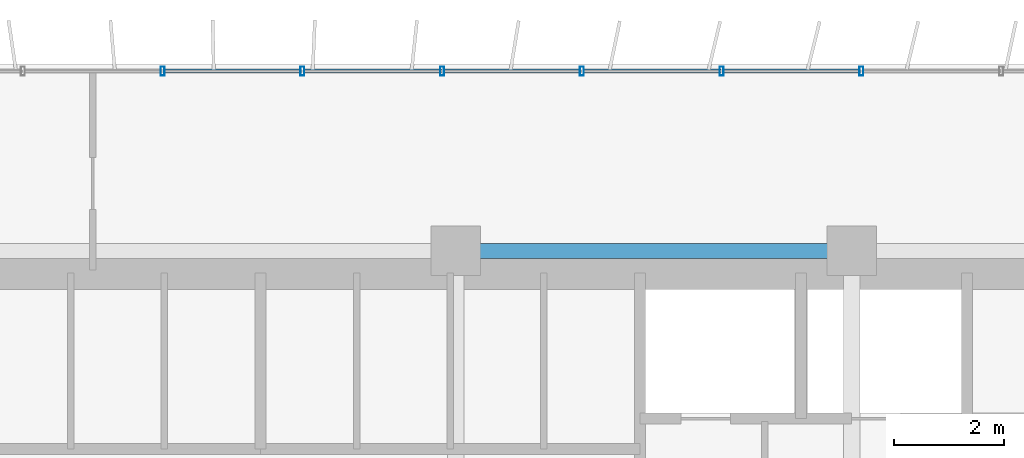
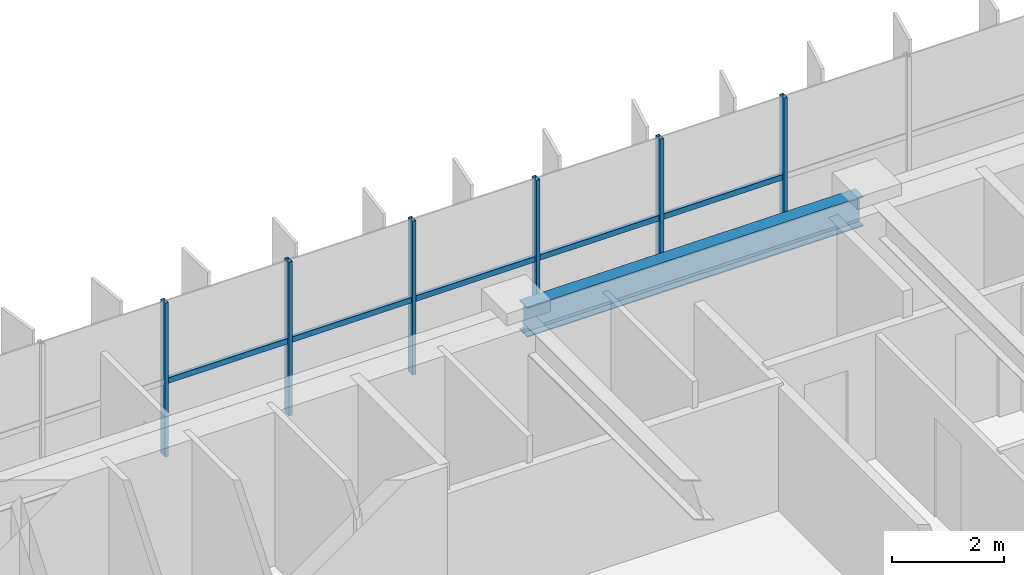
# One storey, part 13 of 25: 11 members, 1 beam, 1 element without a shape of its own.
"""IFC4 building model written with IfcOpenShell, lengths in metres."""

from ifc_helpers import new_model, si_unit, direction, frame, origin, origin_2d, place, context, subcontext, project, spatial, hollow_rectangle, i_section, extrude, source, transform, mapped, material, material_profile, profile_set, type_object, element, aggregate, save


model = new_model("IFC4")

# Units and contexts
model_context = context("Model", 3, precision=1e-05, world=origin(), true_north=direction((0.0, 1.0)))
body_context = subcontext(model_context, "Body", "Model", "MODEL_VIEW")
ifc_project = project(units=[si_unit("LENGTHUNIT", "METRE"), si_unit("AREAUNIT", "SQUARE_METRE"), si_unit("VOLUMEUNIT", "CUBIC_METRE"), si_unit("PLANEANGLEUNIT", "RADIAN"), si_unit("MASSUNIT", "GRAM", prefix="KILO")], contexts=[model_context])

# Site, building, storey
site_placement = place(None, origin())
site = spatial("IfcSite", under=ifc_project, at=site_placement, CompositionType="ELEMENT")
building_placement = place(site_placement, origin())
building = spatial("IfcBuilding", under=site, at=building_placement, Name="Trelvane Seafront Commons", CompositionType="ELEMENT")
storey_placement = place(building_placement, frame((0.0, 0.0, 66.699951171875)))
storey = spatial("IfcBuildingStorey", under=building, at=storey_placement, Name="L17", CompositionType="ELEMENT", Elevation=66.699951171875)

# Beam
ifc_material_1 = material(Name="Steel SM355 (S355)", Category="steel")
ifc_material_profile_1 = material_profile(ifc_material_1, i_section(OverallWidth=0.280029296875, OverallDepth=0.64990234375, WebThickness=0.012939453125, FlangeThickness=0.02197265625, at=origin_2d()), Name="H-650x280x13x22")
ifc_profile_set_1 = profile_set([ifc_material_profile_1], Name="Steel SM355 (S355)")
beam_type = type_object("IfcBeamType", Name="STR-BM-H650", PredefinedType="BEAM", material=ifc_profile_set_1)
shared_shape_1 = source(origin(), body_context, "Body", "SweptSolid", [
    extrude(i_section(OverallWidth=0.280029296875, OverallDepth=0.64990234375, WebThickness=0.012939453125, FlangeThickness=0.02197265625, at=origin_2d()), origin(), (0.0, 0.0, 1.0), 6.900146484375),
])
beam_placement = place(storey_placement, frame((43.949951171875, 45.10009765625, 3.01513671875), z_axis=(1.0, 0.0, 0.0), x_axis=(0.0, 1.0, 0.0)))
element("IfcBeam", 1, at=beam_placement, inside=storey, type_object=beam_type, Name="L17 Primary Girder G-33", PredefinedType="BEAM", context=body_context, shape_type="MappedRepresentation", body=[
    mapped(shared_shape_1, transform((0.0, 0.0, 0.0), x_axis=(1.0, 0.0, 0.0), y_axis=(0.0, 1.0, 0.0), z_axis=(0.0, 0.0, 1.0), scale=1.0)),
])

# Curtain wall, members
ifc_material_2 = material(Name="Anodised pale-silver aluminium", Category="aluminium")
curtain_wall_type = type_object("IfcCurtainWallType", Name="ARCH-CW2-LOWTOWER", PredefinedType="NOTDEFINED", material=ifc_material_2)
curtain_wall_placement = place(storey_placement, origin())
curtain_wall = element("IfcCurtainWall", 2, at=curtain_wall_placement, inside=storey, type_object=curtain_wall_type, Name="CW-L17-0041", PredefinedType="NOTDEFINED")
ifc_material_profile_2 = material_profile(ifc_material_2, hollow_rectangle(XDim=0.074951171875, YDim=0.159912109375, WallThickness=0.00390625, at=origin_2d()), Name="MULL-75x160x4")
ifc_profile_set_2 = profile_set([ifc_material_profile_2], Name="Anodised pale-silver aluminium")
member_type_1 = type_object("IfcMemberType", Name="ARCH-CW-MULL-160", PredefinedType="MULLION", material=ifc_profile_set_2)
shared_shape_2 = source(origin(), body_context, "Body", "SweptSolid", [
    extrude(hollow_rectangle(XDim=0.074951171875, YDim=0.159912109375, WallThickness=0.00390625, at=origin_2d()), origin(), (0.0, 0.0, 1.0), 3.340087890625),
])
member_1_placement = place(storey_placement, frame((38.470703125, 48.3701171875, 0.0), z_axis=(0.0, 0.0, 1.0), x_axis=(1.0, 0.0, 0.0)))
member_1 = element("IfcMember", 3, at=member_1_placement, type_object=member_type_1, Name="CW-L17-0041-M09", PredefinedType="MULLION", context=body_context, shape_type="MappedRepresentation", body=[
    mapped(shared_shape_2, transform((0.0, 0.0, 0.0), x_axis=(1.0, 0.0, 0.0), y_axis=(0.0, 1.0, 0.0), z_axis=(0.0, 0.0, 1.0), scale=1.0)),
])
member_2_placement = place(storey_placement, frame((41.01171875, 48.3701171875, 0.0), z_axis=(0.0, 0.0, 1.0), x_axis=(1.0, 0.0, 0.0)))
member_2 = element("IfcMember", 4, at=member_2_placement, type_object=member_type_1, Name="CW-L17-0041-M10", PredefinedType="MULLION", context=body_context, shape_type="MappedRepresentation", body=[
    mapped(shared_shape_2, transform((0.0, 0.0, 0.0), x_axis=(1.0, 0.0, 0.0), y_axis=(0.0, 1.0, 0.0), z_axis=(0.0, 0.0, 1.0), scale=1.0)),
])
member_3_placement = place(storey_placement, frame((43.552978515625, 48.3701171875, 0.0), z_axis=(0.0, 0.0, 1.0), x_axis=(1.0, 0.0, 0.0)))
member_3 = element("IfcMember", 5, at=member_3_placement, type_object=member_type_1, Name="CW-L17-0041-M11", PredefinedType="MULLION", context=body_context, shape_type="MappedRepresentation", body=[
    mapped(shared_shape_2, transform((0.0, 0.0, 0.0), x_axis=(1.0, 0.0, 0.0), y_axis=(0.0, 1.0, 0.0), z_axis=(0.0, 0.0, 1.0), scale=1.0)),
])
member_4_placement = place(storey_placement, frame((46.093994140625, 48.3701171875, 0.0), z_axis=(0.0, 0.0, 1.0), x_axis=(1.0, 0.0, 0.0)))
member_4 = element("IfcMember", 6, at=member_4_placement, type_object=member_type_1, Name="CW-L17-0041-M12", PredefinedType="MULLION", context=body_context, shape_type="MappedRepresentation", body=[
    mapped(shared_shape_2, transform((0.0, 0.0, 0.0), x_axis=(1.0, 0.0, 0.0), y_axis=(0.0, 1.0, 0.0), z_axis=(0.0, 0.0, 1.0), scale=1.0)),
])
member_5_placement = place(storey_placement, frame((48.63525390625, 48.3701171875, 0.0), z_axis=(0.0, 0.0, 1.0), x_axis=(1.0, 0.0, 0.0)))
member_5 = element("IfcMember", 7, at=member_5_placement, type_object=member_type_1, Name="CW-L17-0041-M13", PredefinedType="MULLION", context=body_context, shape_type="MappedRepresentation", body=[
    mapped(shared_shape_2, transform((0.0, 0.0, 0.0), x_axis=(1.0, 0.0, 0.0), y_axis=(0.0, 1.0, 0.0), z_axis=(0.0, 0.0, 1.0), scale=1.0)),
])
member_6_placement = place(storey_placement, frame((51.176513671875, 48.3701171875, 0.0), z_axis=(0.0, 0.0, 1.0), x_axis=(1.0, 0.0, 0.0)))
member_6 = element("IfcMember", 8, at=member_6_placement, type_object=member_type_1, Name="CW-L17-0041-M14", PredefinedType="MULLION", context=body_context, shape_type="MappedRepresentation", body=[
    mapped(shared_shape_2, transform((0.0, 0.0, 0.0), x_axis=(1.0, 0.0, 0.0), y_axis=(0.0, 1.0, 0.0), z_axis=(0.0, 0.0, 1.0), scale=1.0)),
])
ifc_material_profile_3 = material_profile(ifc_material_2, hollow_rectangle(XDim=0.070068359375, YDim=0.1201171875, WallThickness=0.00390625, at=origin_2d()), Name="TRAN-70x120x4")
ifc_profile_set_3 = profile_set([ifc_material_profile_3], Name="Anodised pale-silver aluminium")
member_type_2 = type_object("IfcMemberType", Name="ARCH-CW-TRAN-120", PredefinedType="USERDEFINED", material=ifc_profile_set_3)
shared_shape_3 = source(origin(), body_context, "Body", "SweptSolid", [
    extrude(hollow_rectangle(XDim=0.070068359375, YDim=0.1201171875, WallThickness=0.00390625, at=origin_2d()), origin(), (0.0, 0.0, 1.0), 2.51708984375),
])
member_7_placement = place(storey_placement, frame((38.482666015625, 48.3701171875, 1.60302734375), z_axis=(1.0, 0.0, 0.0), x_axis=(0.0, 1.0, 0.0)))
member_7 = element("IfcMember", 9, at=member_7_placement, type_object=member_type_2, Name="CW-L17-0041-T09", ObjectType="TRANSOM", PredefinedType="USERDEFINED", context=body_context, shape_type="MappedRepresentation", body=[
    mapped(shared_shape_3, transform((0.0, 0.0, 0.0), x_axis=(1.0, 0.0, 0.0), y_axis=(0.0, 1.0, 0.0), z_axis=(0.0, 0.0, 1.0), scale=1.0)),
])
member_8_placement = place(storey_placement, frame((43.56494140625, 48.3701171875, 1.60302734375), z_axis=(1.0, 0.0, 0.0), x_axis=(0.0, 1.0, 0.0)))
member_8 = element("IfcMember", 10, at=member_8_placement, type_object=member_type_2, Name="CW-L17-0041-T11", ObjectType="TRANSOM", PredefinedType="USERDEFINED", context=body_context, shape_type="MappedRepresentation", body=[
    mapped(shared_shape_3, transform((0.0, 0.0, 0.0), x_axis=(1.0, 0.0, 0.0), y_axis=(0.0, 1.0, 0.0), z_axis=(0.0, 0.0, 1.0), scale=1.0)),
])
member_9_placement = place(storey_placement, frame((46.106201171875, 48.3701171875, 1.60302734375), z_axis=(1.0, 0.0, 0.0), x_axis=(0.0, 1.0, 0.0)))
member_9 = element("IfcMember", 11, at=member_9_placement, type_object=member_type_2, Name="CW-L17-0041-T12", ObjectType="TRANSOM", PredefinedType="USERDEFINED", context=body_context, shape_type="MappedRepresentation", body=[
    mapped(shared_shape_3, transform((0.0, 0.0, 0.0), x_axis=(1.0, 0.0, 0.0), y_axis=(0.0, 1.0, 0.0), z_axis=(0.0, 0.0, 1.0), scale=1.0)),
])
shared_shape_4 = source(origin(), body_context, "Body", "SweptSolid", [
    extrude(hollow_rectangle(XDim=0.070068359375, YDim=0.1201171875, WallThickness=0.00390625, at=origin_2d()), origin(), (0.0, 0.0, 1.0), 2.517333984375),
])
member_10_placement = place(storey_placement, frame((41.023681640625, 48.3701171875, 1.60302734375), z_axis=(1.0, 0.0, 0.0), x_axis=(0.0, 1.0, 0.0)))
member_10 = element("IfcMember", 12, at=member_10_placement, type_object=member_type_2, Name="CW-L17-0041-T10", ObjectType="TRANSOM", PredefinedType="USERDEFINED", context=body_context, shape_type="MappedRepresentation", body=[
    mapped(shared_shape_4, transform((0.0, 0.0, 0.0), x_axis=(1.0, 0.0, 0.0), y_axis=(0.0, 1.0, 0.0), z_axis=(0.0, 0.0, 1.0), scale=1.0)),
])
member_11_placement = place(storey_placement, frame((48.647216796875, 48.3701171875, 1.60302734375), z_axis=(1.0, 0.0, 0.0), x_axis=(0.0, 1.0, 0.0)))
member_11 = element("IfcMember", 13, at=member_11_placement, type_object=member_type_2, Name="CW-L17-0041-T13", ObjectType="TRANSOM", PredefinedType="USERDEFINED", context=body_context, shape_type="MappedRepresentation", body=[
    mapped(shared_shape_4, transform((0.0, 0.0, 0.0), x_axis=(1.0, 0.0, 0.0), y_axis=(0.0, 1.0, 0.0), z_axis=(0.0, 0.0, 1.0), scale=1.0)),
])
aggregate(curtain_wall, [member_1, member_2, member_3, member_4, member_5, member_6, member_7, member_10, member_8, member_9, member_11])

save(model, "model.ifc")
